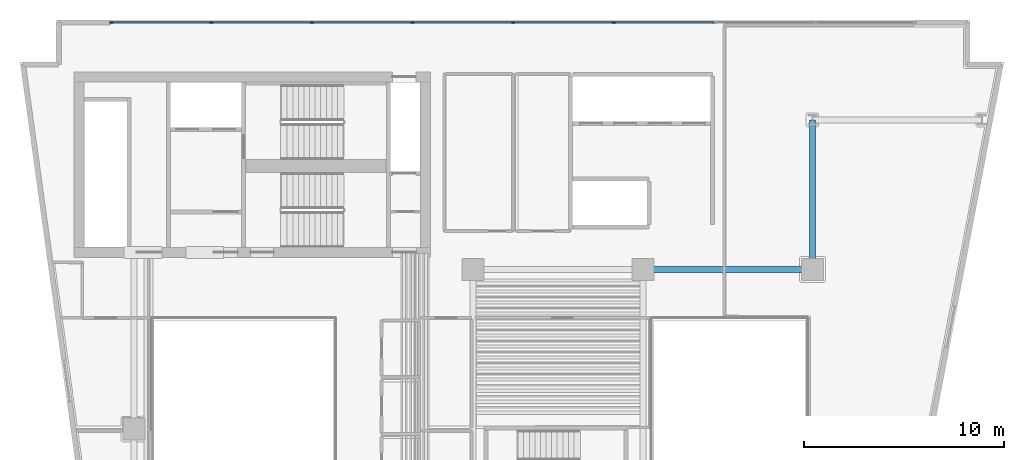
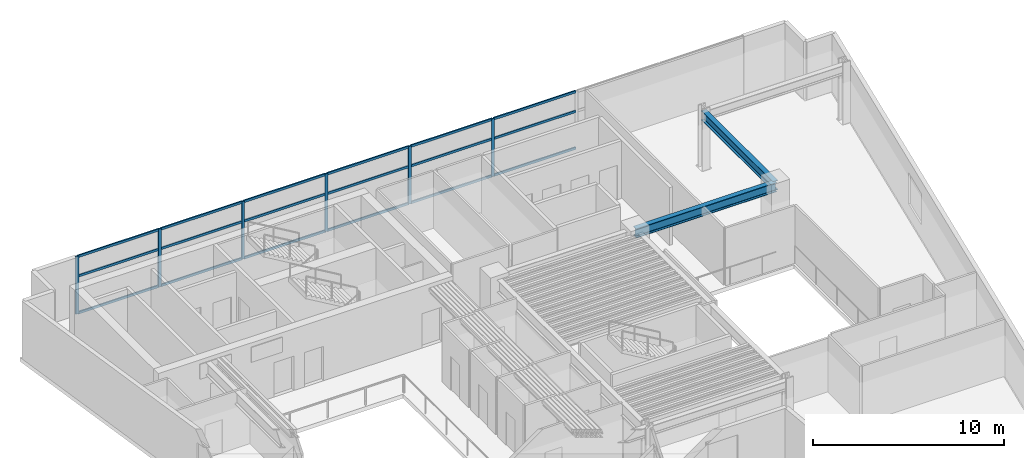
# One storey, part 3 of 12: 24 members, 2 beams, 1 element without a shape of its own.
"""IFC4 building model written with IfcOpenShell, lengths in metres."""

from ifc_helpers import new_model, si_unit, direction, frame, origin, origin_2d, place, context, subcontext, project, spatial, rectangle, i_section, extrude, material, layer, layer_set, material_profile, profile_set, type_object, element, aggregate, save


model = new_model("IFC4")

# Units and contexts
model_context = context("Model", 3, precision=1e-05, world=origin(), true_north=direction((0.0, 1.0)))
body_context = subcontext(model_context, "Body", "Model", "MODEL_VIEW")
ifc_project = project(units=[si_unit("LENGTHUNIT", "METRE"), si_unit("AREAUNIT", "SQUARE_METRE"), si_unit("VOLUMEUNIT", "CUBIC_METRE"), si_unit("PLANEANGLEUNIT", "RADIAN"), si_unit("MASSUNIT", "GRAM", prefix="KILO")], contexts=[model_context])

# Site, building, storey
site_placement = place(None, origin())
site = spatial("IfcSite", under=ifc_project, at=site_placement, CompositionType="ELEMENT")
building_placement = place(site_placement, origin())
building = spatial("IfcBuilding", under=site, at=building_placement, Name="Caeloran Harvest Quay", CompositionType="ELEMENT")
storey_placement = place(building_placement, frame((0.0, 0.0, 115.35009765625)))
storey = spatial("IfcBuildingStorey", under=building, at=storey_placement, Name="L26", CompositionType="ELEMENT", Elevation=115.35009765625)

# Beams
ifc_material_1 = material(Name="Steel S355J2", Category="steel")
ifc_material_profile_1 = material_profile(ifc_material_1, i_section(OverallWidth=0.300048828125, OverallDepth=0.60009765625, WebThickness=0.015380859375, FlangeThickness=0.030029296875, FilletRadius=0.027099609375, at=origin_2d()), Name="HE 600 B")
ifc_profile_set_1 = profile_set([ifc_material_profile_1], Name="Steel S355J2")
beam_type = type_object("IfcBeamType", Name="BM-PG-3-HE_600_B", PredefinedType="BEAM", material=ifc_profile_set_1)
beam_1_placement = place(storey_placement, frame((34.0, 31.0, 3.389892578125), z_axis=(1.0, 0.0, 0.0), x_axis=(0.0, 1.0, 0.0)))
element("IfcBeam", 1, at=beam_1_placement, inside=storey, type_object=beam_type, Name="L26 Primary East-West Girder Y=31.0", PredefinedType="BEAM", context=body_context, shape_type="SweptSolid", body=[
    extrude(i_section(OverallWidth=0.300048828125, OverallDepth=0.60009765625, WebThickness=0.015380859375, FlangeThickness=0.030029296875, FilletRadius=0.027099609375, at=origin_2d()), origin(), (0.0, 0.0, 1.0), 8.5),
])
beam_2_placement = place(storey_placement, frame((42.5, 31.0, 3.389892578125), z_axis=(0.0, 1.0, 0.0), x_axis=(-1.0, 0.0, 0.0)))
element("IfcBeam", 2, at=beam_2_placement, inside=storey, type_object=beam_type, Name="L26 Primary North-South Girder X=42.5", PredefinedType="BEAM", context=body_context, shape_type="SweptSolid", body=[
    extrude(i_section(OverallWidth=0.300048828125, OverallDepth=0.60009765625, WebThickness=0.015380859375, FlangeThickness=0.030029296875, FilletRadius=0.027099609375, at=origin_2d()), origin(), (0.0, 0.0, 1.0), 7.5),
])

# Curtain wall, members
ifc_material_2 = material(Name="Aluminium 6063-T6 and Low-E Glazing", Category="aluminium")
ifc_layer = layer(ifc_material_2, 0.18994140625, Name="Aluminium 6063-T6 and Low-E Glazing")
ifc_layer_set = layer_set([ifc_layer], Name="Aluminium 6063-T6 and Low-E Glazing")
curtain_wall_type = type_object("IfcCurtainWallType", Name="CW-SYS-CW-3", PredefinedType="USERDEFINED", material=ifc_layer_set)
curtain_wall_placement = place(storey_placement, origin())
curtain_wall = element("IfcCurtainWall", 3, at=curtain_wall_placement, inside=storey, type_object=curtain_wall_type, Name="L26 Unitised Curtain Wall CW-3 Run 6", ObjectType="CURTAIN_WALL", PredefinedType="USERDEFINED")
ifc_material_3 = material(Name="Aluminium 6063-T6", Category="aluminium")
ifc_material_profile_2 = material_profile(ifc_material_3, rectangle(XDim=0.080078125, YDim=0.179931640625, at=origin_2d()), Name="CW-MULLION-180")
ifc_profile_set_2 = profile_set([ifc_material_profile_2], Name="Aluminium 6063-T6")
member_type_1 = type_object("IfcMemberType", Name="CW-MULLION-180", PredefinedType="MULLION", material=ifc_profile_set_2)
member_1_placement = place(storey_placement, frame((7.3701171875, 43.3701171875, 0.0), z_axis=(0.0, 0.0, 1.0), x_axis=(0.0, 1.0, 0.0)))
member_1 = element("IfcMember", 4, at=member_1_placement, type_object=member_type_1, Name="CW-3 mullion 1", PredefinedType="MULLION", context=body_context, shape_type="SweptSolid", body=[
    extrude(rectangle(XDim=0.080078125, YDim=0.179931640625, at=origin_2d()), origin(), (0.0, 0.0, 1.0), 3.68994140625),
])
member_2_placement = place(storey_placement, frame((12.37255859375, 43.3701171875, 0.0), z_axis=(0.0, 0.0, 1.0), x_axis=(0.0, 1.0, 0.0)))
member_2 = element("IfcMember", 5, at=member_2_placement, type_object=member_type_1, Name="CW-3 mullion 2", PredefinedType="MULLION", context=body_context, shape_type="SweptSolid", body=[
    extrude(rectangle(XDim=0.080078125, YDim=0.179931640625, at=origin_2d()), origin(), (0.0, 0.0, 1.0), 3.68994140625),
])
member_3_placement = place(storey_placement, frame((17.4150390625, 43.3701171875, 0.0), z_axis=(0.0, 0.0, 1.0), x_axis=(0.0, 1.0, 0.0)))
member_3 = element("IfcMember", 6, at=member_3_placement, type_object=member_type_1, Name="CW-3 mullion 3", PredefinedType="MULLION", context=body_context, shape_type="SweptSolid", body=[
    extrude(rectangle(XDim=0.080078125, YDim=0.179931640625, at=origin_2d()), origin(), (0.0, 0.0, 1.0), 3.68994140625),
])
member_4_placement = place(storey_placement, frame((22.45751953125, 43.3701171875, 0.0), z_axis=(0.0, 0.0, 1.0), x_axis=(0.0, 1.0, 0.0)))
member_4 = element("IfcMember", 7, at=member_4_placement, type_object=member_type_1, Name="CW-3 mullion 4", PredefinedType="MULLION", context=body_context, shape_type="SweptSolid", body=[
    extrude(rectangle(XDim=0.080078125, YDim=0.179931640625, at=origin_2d()), origin(), (0.0, 0.0, 1.0), 3.68994140625),
])
member_5_placement = place(storey_placement, frame((27.5, 43.3701171875, 0.0), z_axis=(0.0, 0.0, 1.0), x_axis=(0.0, 1.0, 0.0)))
member_5 = element("IfcMember", 8, at=member_5_placement, type_object=member_type_1, Name="CW-3 mullion 5", PredefinedType="MULLION", context=body_context, shape_type="SweptSolid", body=[
    extrude(rectangle(XDim=0.080078125, YDim=0.179931640625, at=origin_2d()), origin(), (0.0, 0.0, 1.0), 3.68994140625),
])
member_6_placement = place(storey_placement, frame((32.54248046875, 43.3701171875, 0.0), z_axis=(0.0, 0.0, 1.0), x_axis=(0.0, 1.0, 0.0)))
member_6 = element("IfcMember", 9, at=member_6_placement, type_object=member_type_1, Name="CW-3 mullion 6", PredefinedType="MULLION", context=body_context, shape_type="SweptSolid", body=[
    extrude(rectangle(XDim=0.080078125, YDim=0.179931640625, at=origin_2d()), origin(), (0.0, 0.0, 1.0), 3.68994140625),
])
ifc_material_profile_3 = material_profile(ifc_material_3, rectangle(XDim=0.080078125, YDim=0.14990234375, at=origin_2d()), Name="CW-TRANSOM-150")
ifc_profile_set_3 = profile_set([ifc_material_profile_3], Name="Aluminium 6063-T6")
member_type_2 = type_object("IfcMemberType", Name="CW-TRANSOM-150", PredefinedType="USERDEFINED", material=ifc_profile_set_3)
member_7_placement = place(storey_placement, frame((7.409912109375, 43.3701171875, 0.039794921875), z_axis=(1.0, 0.0, 0.0), x_axis=(0.0, 1.0, 0.0)))
member_7 = element("IfcMember", 10, at=member_7_placement, type_object=member_type_2, Name="CW-3 transom 1.1", ObjectType="TRANSOM", PredefinedType="USERDEFINED", context=body_context, shape_type="SweptSolid", body=[
    extrude(rectangle(XDim=0.080078125, YDim=0.14990234375, at=origin_2d()), origin(), (0.0, 0.0, 1.0), 4.922607421875),
])
member_8_placement = place(storey_placement, frame((7.409912109375, 43.3701171875, 2.39990234375), z_axis=(1.0, 0.0, 0.0), x_axis=(0.0, 1.0, 0.0)))
member_8 = element("IfcMember", 11, at=member_8_placement, type_object=member_type_2, Name="CW-3 transom 1.2", ObjectType="TRANSOM", PredefinedType="USERDEFINED", context=body_context, shape_type="SweptSolid", body=[
    extrude(rectangle(XDim=0.080078125, YDim=0.14990234375, at=origin_2d()), origin(), (0.0, 0.0, 1.0), 4.922607421875),
])
member_9_placement = place(storey_placement, frame((7.409912109375, 43.3701171875, 3.64990234375), z_axis=(1.0, 0.0, 0.0), x_axis=(0.0, 1.0, 0.0)))
member_9 = element("IfcMember", 12, at=member_9_placement, type_object=member_type_2, Name="CW-3 transom 1.3", ObjectType="TRANSOM", PredefinedType="USERDEFINED", context=body_context, shape_type="SweptSolid", body=[
    extrude(rectangle(XDim=0.080078125, YDim=0.14990234375, at=origin_2d()), origin(), (0.0, 0.0, 1.0), 4.922607421875),
])
member_10_placement = place(storey_placement, frame((12.41259765625, 43.3701171875, 0.039794921875), z_axis=(1.0, 0.0, 0.0), x_axis=(0.0, 1.0, 0.0)))
member_10 = element("IfcMember", 13, at=member_10_placement, type_object=member_type_2, Name="CW-3 transom 2.1", ObjectType="TRANSOM", PredefinedType="USERDEFINED", context=body_context, shape_type="SweptSolid", body=[
    extrude(rectangle(XDim=0.080078125, YDim=0.14990234375, at=origin_2d()), origin(), (0.0, 0.0, 1.0), 4.96240234375),
])
member_11_placement = place(storey_placement, frame((12.41259765625, 43.3701171875, 2.39990234375), z_axis=(1.0, 0.0, 0.0), x_axis=(0.0, 1.0, 0.0)))
member_11 = element("IfcMember", 14, at=member_11_placement, type_object=member_type_2, Name="CW-3 transom 2.2", ObjectType="TRANSOM", PredefinedType="USERDEFINED", context=body_context, shape_type="SweptSolid", body=[
    extrude(rectangle(XDim=0.080078125, YDim=0.14990234375, at=origin_2d()), origin(), (0.0, 0.0, 1.0), 4.96240234375),
])
member_12_placement = place(storey_placement, frame((12.41259765625, 43.3701171875, 3.64990234375), z_axis=(1.0, 0.0, 0.0), x_axis=(0.0, 1.0, 0.0)))
member_12 = element("IfcMember", 15, at=member_12_placement, type_object=member_type_2, Name="CW-3 transom 2.3", ObjectType="TRANSOM", PredefinedType="USERDEFINED", context=body_context, shape_type="SweptSolid", body=[
    extrude(rectangle(XDim=0.080078125, YDim=0.14990234375, at=origin_2d()), origin(), (0.0, 0.0, 1.0), 4.96240234375),
])
member_13_placement = place(storey_placement, frame((17.455078125, 43.3701171875, 0.039794921875), z_axis=(1.0, 0.0, 0.0), x_axis=(0.0, 1.0, 0.0)))
member_13 = element("IfcMember", 16, at=member_13_placement, type_object=member_type_2, Name="CW-3 transom 3.1", ObjectType="TRANSOM", PredefinedType="USERDEFINED", context=body_context, shape_type="SweptSolid", body=[
    extrude(rectangle(XDim=0.080078125, YDim=0.14990234375, at=origin_2d()), origin(), (0.0, 0.0, 1.0), 4.96240234375),
])
member_14_placement = place(storey_placement, frame((17.455078125, 43.3701171875, 2.39990234375), z_axis=(1.0, 0.0, 0.0), x_axis=(0.0, 1.0, 0.0)))
member_14 = element("IfcMember", 17, at=member_14_placement, type_object=member_type_2, Name="CW-3 transom 3.2", ObjectType="TRANSOM", PredefinedType="USERDEFINED", context=body_context, shape_type="SweptSolid", body=[
    extrude(rectangle(XDim=0.080078125, YDim=0.14990234375, at=origin_2d()), origin(), (0.0, 0.0, 1.0), 4.96240234375),
])
member_15_placement = place(storey_placement, frame((17.455078125, 43.3701171875, 3.64990234375), z_axis=(1.0, 0.0, 0.0), x_axis=(0.0, 1.0, 0.0)))
member_15 = element("IfcMember", 18, at=member_15_placement, type_object=member_type_2, Name="CW-3 transom 3.3", ObjectType="TRANSOM", PredefinedType="USERDEFINED", context=body_context, shape_type="SweptSolid", body=[
    extrude(rectangle(XDim=0.080078125, YDim=0.14990234375, at=origin_2d()), origin(), (0.0, 0.0, 1.0), 4.96240234375),
])
member_16_placement = place(storey_placement, frame((22.49755859375, 43.3701171875, 0.039794921875), z_axis=(1.0, 0.0, 0.0), x_axis=(0.0, 1.0, 0.0)))
member_16 = element("IfcMember", 19, at=member_16_placement, type_object=member_type_2, Name="CW-3 transom 4.1", ObjectType="TRANSOM", PredefinedType="USERDEFINED", context=body_context, shape_type="SweptSolid", body=[
    extrude(rectangle(XDim=0.080078125, YDim=0.14990234375, at=origin_2d()), origin(), (0.0, 0.0, 1.0), 4.96240234375),
])
member_17_placement = place(storey_placement, frame((22.49755859375, 43.3701171875, 2.39990234375), z_axis=(1.0, 0.0, 0.0), x_axis=(0.0, 1.0, 0.0)))
member_17 = element("IfcMember", 20, at=member_17_placement, type_object=member_type_2, Name="CW-3 transom 4.2", ObjectType="TRANSOM", PredefinedType="USERDEFINED", context=body_context, shape_type="SweptSolid", body=[
    extrude(rectangle(XDim=0.080078125, YDim=0.14990234375, at=origin_2d()), origin(), (0.0, 0.0, 1.0), 4.96240234375),
])
member_18_placement = place(storey_placement, frame((22.49755859375, 43.3701171875, 3.64990234375), z_axis=(1.0, 0.0, 0.0), x_axis=(0.0, 1.0, 0.0)))
member_18 = element("IfcMember", 21, at=member_18_placement, type_object=member_type_2, Name="CW-3 transom 4.3", ObjectType="TRANSOM", PredefinedType="USERDEFINED", context=body_context, shape_type="SweptSolid", body=[
    extrude(rectangle(XDim=0.080078125, YDim=0.14990234375, at=origin_2d()), origin(), (0.0, 0.0, 1.0), 4.96240234375),
])
member_19_placement = place(storey_placement, frame((27.5400390625, 43.3701171875, 0.039794921875), z_axis=(1.0, 0.0, 0.0), x_axis=(0.0, 1.0, 0.0)))
member_19 = element("IfcMember", 22, at=member_19_placement, type_object=member_type_2, Name="CW-3 transom 5.1", ObjectType="TRANSOM", PredefinedType="USERDEFINED", context=body_context, shape_type="SweptSolid", body=[
    extrude(rectangle(XDim=0.080078125, YDim=0.14990234375, at=origin_2d()), origin(), (0.0, 0.0, 1.0), 4.96240234375),
])
member_20_placement = place(storey_placement, frame((27.5400390625, 43.3701171875, 2.39990234375), z_axis=(1.0, 0.0, 0.0), x_axis=(0.0, 1.0, 0.0)))
member_20 = element("IfcMember", 23, at=member_20_placement, type_object=member_type_2, Name="CW-3 transom 5.2", ObjectType="TRANSOM", PredefinedType="USERDEFINED", context=body_context, shape_type="SweptSolid", body=[
    extrude(rectangle(XDim=0.080078125, YDim=0.14990234375, at=origin_2d()), origin(), (0.0, 0.0, 1.0), 4.96240234375),
])
member_21_placement = place(storey_placement, frame((27.5400390625, 43.3701171875, 3.64990234375), z_axis=(1.0, 0.0, 0.0), x_axis=(0.0, 1.0, 0.0)))
member_21 = element("IfcMember", 24, at=member_21_placement, type_object=member_type_2, Name="CW-3 transom 5.3", ObjectType="TRANSOM", PredefinedType="USERDEFINED", context=body_context, shape_type="SweptSolid", body=[
    extrude(rectangle(XDim=0.080078125, YDim=0.14990234375, at=origin_2d()), origin(), (0.0, 0.0, 1.0), 4.96240234375),
])
member_22_placement = place(storey_placement, frame((32.58251953125, 43.3701171875, 0.039794921875), z_axis=(1.0, 0.0, 0.0), x_axis=(0.0, 1.0, 0.0)))
member_22 = element("IfcMember", 25, at=member_22_placement, type_object=member_type_2, Name="CW-3 transom 6.1", ObjectType="TRANSOM", PredefinedType="USERDEFINED", context=body_context, shape_type="SweptSolid", body=[
    extrude(rectangle(XDim=0.080078125, YDim=0.14990234375, at=origin_2d()), origin(), (0.0, 0.0, 1.0), 4.96240234375),
])
member_23_placement = place(storey_placement, frame((32.58251953125, 43.3701171875, 2.39990234375), z_axis=(1.0, 0.0, 0.0), x_axis=(0.0, 1.0, 0.0)))
member_23 = element("IfcMember", 26, at=member_23_placement, type_object=member_type_2, Name="CW-3 transom 6.2", ObjectType="TRANSOM", PredefinedType="USERDEFINED", context=body_context, shape_type="SweptSolid", body=[
    extrude(rectangle(XDim=0.080078125, YDim=0.14990234375, at=origin_2d()), origin(), (0.0, 0.0, 1.0), 4.96240234375),
])
member_24_placement = place(storey_placement, frame((32.58251953125, 43.3701171875, 3.64990234375), z_axis=(1.0, 0.0, 0.0), x_axis=(0.0, 1.0, 0.0)))
member_24 = element("IfcMember", 27, at=member_24_placement, type_object=member_type_2, Name="CW-3 transom 6.3", ObjectType="TRANSOM", PredefinedType="USERDEFINED", context=body_context, shape_type="SweptSolid", body=[
    extrude(rectangle(XDim=0.080078125, YDim=0.14990234375, at=origin_2d()), origin(), (0.0, 0.0, 1.0), 4.96240234375),
])
aggregate(curtain_wall, [member_1, member_2, member_3, member_4, member_5, member_6, member_7, member_8, member_9, member_10, member_11, member_12, member_13, member_14, member_15, member_16, member_17, member_18, member_19, member_20, member_21, member_22, member_23, member_24])

save(model, "model.ifc")
